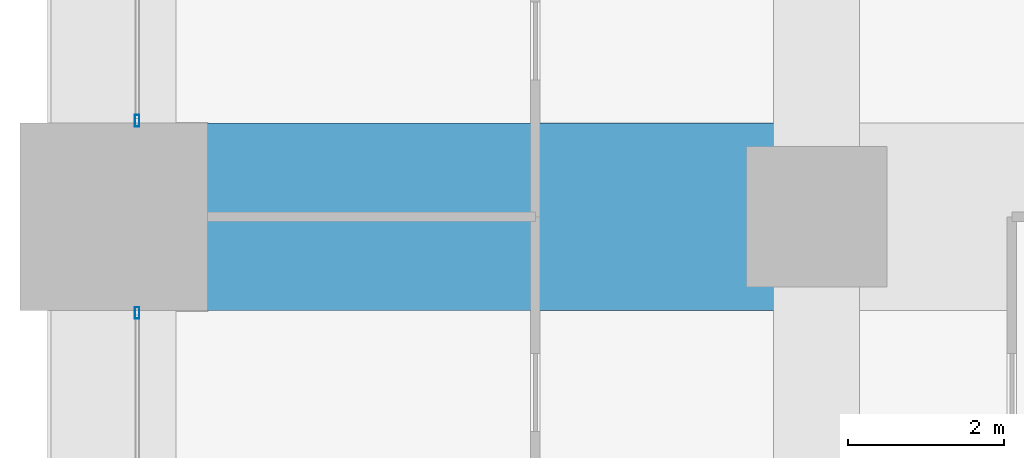
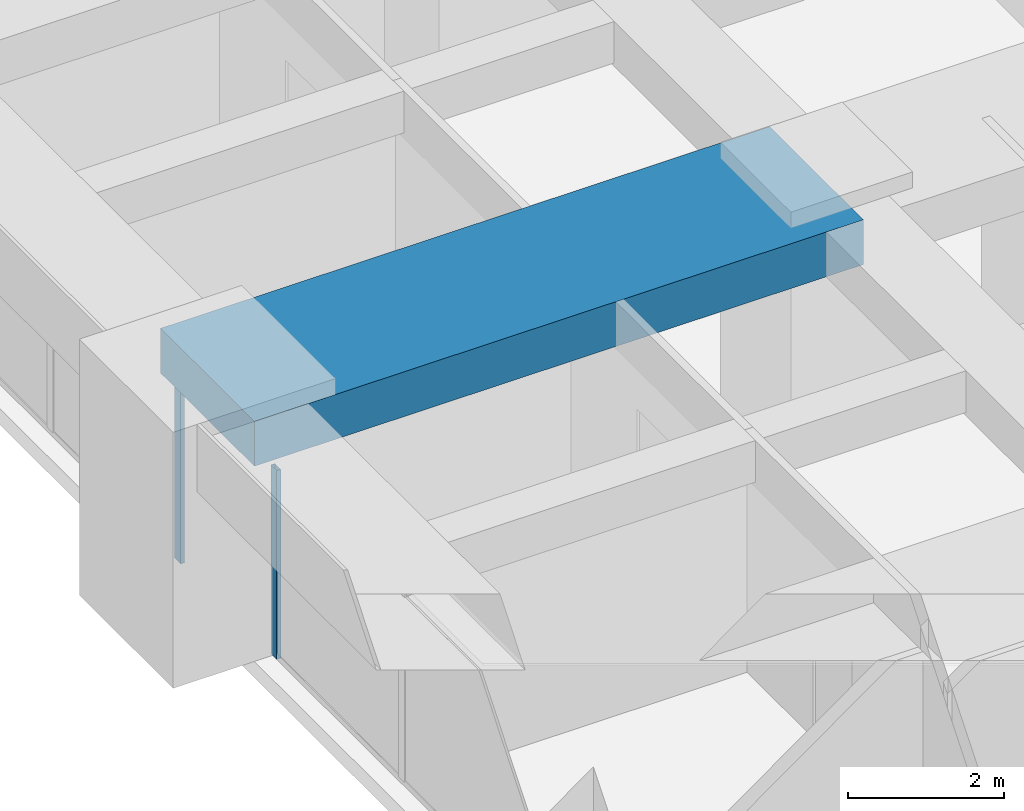
# One storey, part 11 of 43: 2 members, 1 beam, 2 elements without a shape of their own.
"""IFC4 building model written with IfcOpenShell, lengths in metres."""

from ifc_helpers import new_model, si_unit, direction, frame, origin, origin_2d, place, context, subcontext, project, spatial, rectangle, hollow_rectangle, extrude, material, material_profile, profile_set, type_object, element, aggregate, save


model = new_model("IFC4")

# Units and contexts
model_context = context("Model", 3, precision=1e-05, world=origin(), true_north=direction((0.0, 1.0)))
body_context = subcontext(model_context, "Body", "Model", "MODEL_VIEW")
ifc_project = project(units=[si_unit("LENGTHUNIT", "METRE"), si_unit("AREAUNIT", "SQUARE_METRE"), si_unit("VOLUMEUNIT", "CUBIC_METRE"), si_unit("PLANEANGLEUNIT", "RADIAN"), si_unit("MASSUNIT", "GRAM", prefix="KILO")], contexts=[model_context])

# Site, building, storey
site_placement = place(None, origin())
site = spatial("IfcSite", under=ifc_project, at=site_placement, CompositionType="ELEMENT")
building_placement = place(site_placement, origin())
building = spatial("IfcBuilding", under=site, at=building_placement, Name="Zorevar Civic Tower", CompositionType="ELEMENT")
storey_placement = place(building_placement, frame((0.0, 0.0, 141.0)))
storey = spatial("IfcBuildingStorey", under=building, at=storey_placement, Name="L34", CompositionType="ELEMENT", Elevation=141.0)

# Beam
ifc_material_1 = material(Name="Concrete C50/60", Category="concrete")
ifc_material_profile_1 = material_profile(ifc_material_1, rectangle(XDim=2.39990234375, YDim=0.699951171875, at=origin_2d()), Name="RC 2400x700")
ifc_profile_set_1 = profile_set([ifc_material_profile_1], Name="Concrete C50/60")
beam_type = type_object("IfcBeamType", Name="Beam RC 2400x700", PredefinedType="BEAM", material=ifc_profile_set_1)
beam_placement = place(storey_placement, frame((0.0, 27.0, 3.39990234375), z_axis=(1.0, 0.0, 0.0), x_axis=(0.0, 1.0, 0.0)))
element("IfcBeam", 1, at=beam_placement, inside=storey, type_object=beam_type, Name="Girder L35", PredefinedType="BEAM", context=body_context, shape_type="SweptSolid", body=[
    extrude(rectangle(XDim=2.39990234375, YDim=0.699951171875, at=origin_2d()), origin(), (0.0, 0.0, 1.0), 9.0),
])

# Curtain wall, member
ifc_material_2 = material(Name="Dark grey solar-control glass in black aluminium frame", Category="aluminium")
curtain_wall_type = type_object("IfcCurtainWallType", Name="Curtain wall CW3 mid zone", PredefinedType="NOTDEFINED", material=ifc_material_2)
curtain_wall_1_placement = place(storey_placement, origin())
curtain_wall_1 = element("IfcCurtainWall", 2, at=curtain_wall_1_placement, inside=storey, type_object=curtain_wall_type, Name="CW3 L34", PredefinedType="NOTDEFINED")
ifc_material_3 = material(Name="Aluminium, black anodised", Category="aluminium")
ifc_material_profile_2 = material_profile(ifc_material_3, hollow_rectangle(XDim=0.06005859375, YDim=0.14990234375, WallThickness=0.00390625, at=origin_2d()), Name="AL 150x60x4")
ifc_profile_set_2 = profile_set([ifc_material_profile_2], Name="Aluminium, black anodised")
member_type = type_object("IfcMemberType", Name="CW3 mullion AL 150x60x4", PredefinedType="MULLION", material=ifc_profile_set_2)
member_1_placement = place(storey_placement, frame((0.300048828125, 25.77001953125, 0.0), z_axis=(0.0, 0.0, 1.0), x_axis=(-1.0, 0.0, 0.0)))
member_1 = element("IfcMember", 3, at=member_1_placement, type_object=member_type, Name="CW3 mullion 3", PredefinedType="MULLION", context=body_context, shape_type="SweptSolid", body=[
    extrude(hollow_rectangle(XDim=0.06005859375, YDim=0.14990234375, WallThickness=0.00390625, at=origin_2d()), origin(), (0.0, 0.0, 1.0), 2.949951171875),
])
aggregate(curtain_wall_1, [member_1])

curtain_wall_2_placement = place(storey_placement, origin())
curtain_wall_2 = element("IfcCurtainWall", 4, at=curtain_wall_2_placement, inside=storey, type_object=curtain_wall_type, Name="CW3 L34", PredefinedType="NOTDEFINED")
member_2_placement = place(storey_placement, frame((0.300048828125, 28.22998046875, 0.0), z_axis=(0.0, 0.0, 1.0), x_axis=(-1.0, 0.0, 0.0)))
member_2 = element("IfcMember", 5, at=member_2_placement, type_object=member_type, Name="CW3 mullion 1", PredefinedType="MULLION", context=body_context, shape_type="SweptSolid", body=[
    extrude(hollow_rectangle(XDim=0.06005859375, YDim=0.14990234375, WallThickness=0.00390625, at=origin_2d()), origin(), (0.0, 0.0, 1.0), 2.949951171875),
])
aggregate(curtain_wall_2, [member_2])

save(model, "model.ifc")
